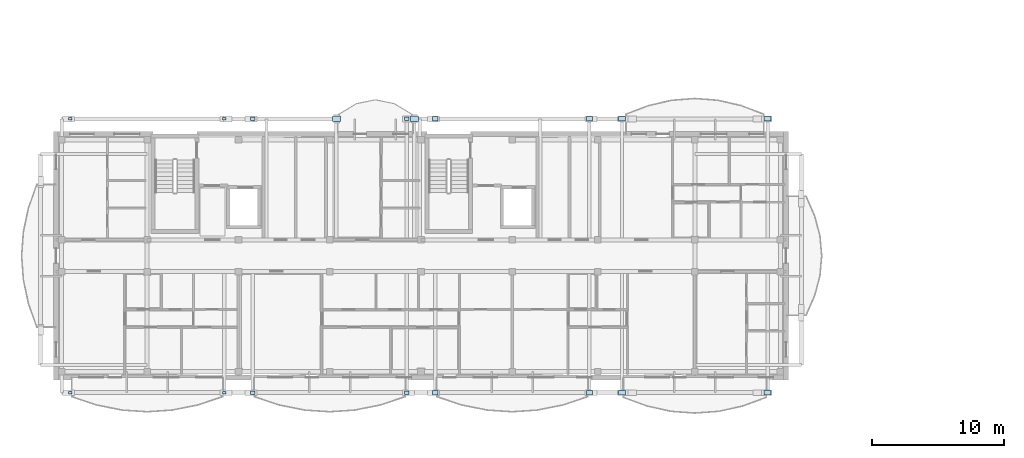
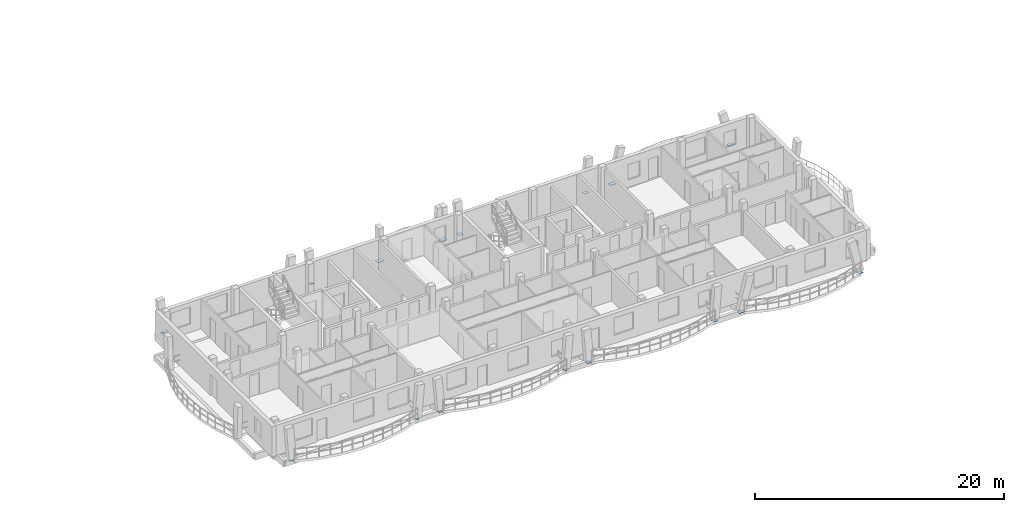
# One storey, part 10 of 48: 18 plates.
"""IFC4 building model written with IfcOpenShell, lengths in metres."""

from ifc_helpers import new_model, si_unit, direction, frame, origin, origin_2d, place, context, subcontext, project, spatial, rectangle, extrude, material, layer, layer_set, type_object, element, save


model = new_model("IFC4")

# Units and contexts
model_context = context("Model", 3, precision=1e-05, world=origin(), true_north=direction((0.0, 1.0)))
body_context = subcontext(model_context, "Body", "Model", "MODEL_VIEW")
ifc_project = project(units=[si_unit("LENGTHUNIT", "METRE"), si_unit("AREAUNIT", "SQUARE_METRE"), si_unit("VOLUMEUNIT", "CUBIC_METRE"), si_unit("PLANEANGLEUNIT", "RADIAN"), si_unit("MASSUNIT", "GRAM", prefix="KILO")], contexts=[model_context])

# Site, building, storey
site_placement = place(None, origin())
site = spatial("IfcSite", under=ifc_project, at=site_placement, CompositionType="ELEMENT")
building_placement = place(site_placement, origin())
building = spatial("IfcBuilding", under=site, at=building_placement, Name="Zavelmont Quarter", CompositionType="ELEMENT")
storey_placement = place(building_placement, frame((0.0, 0.0, 17.60009765625)))
storey = spatial("IfcBuildingStorey", under=building, at=storey_placement, Name="L05", CompositionType="ELEMENT", Elevation=17.60009765625)

# Plates
ifc_material = material(Name="Steel S355", Category="steel")
ifc_layer_1 = layer(ifc_material, 0.02001953125)
ifc_layer_set_1 = layer_set([ifc_layer_1], Name="Steel S355")
plate_type_1 = type_object("IfcPlateType", Name="NP01", PredefinedType="SHEET", material=ifc_layer_set_1)
for number, where, z_axis, x_axis, name in (
    (1, (1.072998046875, -1.162109375, -0.210205078125), (0.0, 0.0, 1.0), (1.0, 0.0, 0.0), "L05 steel connection plate NP01 at 1/A"),
    (2, (12.72705078125, -1.162109375, -0.210205078125), (0.0, 0.0, 1.0), (1.0, 0.0, 0.0), "L05 steel connection plate NP01 at 3/A"),
    (3, (1.072998046875, 19.56201171875, -0.210205078125), (0.0, 0.0, 1.0), (1.0, 0.0, 0.0), "L05 steel connection plate NP01 at 1/D"),
    (4, (12.72705078125, 19.56201171875, -0.210205078125), (0.0, 0.0, 1.0), (1.0, 0.0, 0.0), "L05 steel connection plate NP01 at 3/D"),
):
    element("IfcPlate", number, at=place(storey_placement, frame(where, z_axis=z_axis, x_axis=x_axis)), inside=storey, type_object=plate_type_1, Name=name, PredefinedType="SHEET", context=body_context, shape_type="SweptSolid", body=[
        extrude(rectangle(XDim=0.280029296875, YDim=0.179931640625, at=origin_2d()), origin(), (0.0, 0.0, 1.0), 0.02001953125),
    ])
ifc_layer_2 = layer(ifc_material, 0.02392578125)
ifc_layer_set_2 = layer_set([ifc_layer_2], Name="Steel S355")
plate_type_2 = type_object("IfcPlateType", Name="NP02", PredefinedType="SHEET", material=ifc_layer_set_2)
for number, where, z_axis, x_axis, name in (
    (5, (14.873046875, -1.162109375, -0.212158203125), (0.0, 0.0, 1.0), (1.0, 0.0, 0.0), "L05 steel connection plate NP02 at 3/A"),
    (6, (26.527099609375, -1.162109375, -0.212158203125), (0.0, 0.0, 1.0), (1.0, 0.0, 0.0), "L05 steel connection plate NP02 at 5/A"),
    (7, (14.873046875, 19.56201171875, -0.212158203125), (0.0, 0.0, 1.0), (1.0, 0.0, 0.0), "L05 steel connection plate NP02 at 3/D"),
    (8, (26.527099609375, 19.56201171875, -0.212158203125), (0.0, 0.0, 1.0), (1.0, 0.0, 0.0), "L05 steel connection plate NP02 at 5/D"),
):
    element("IfcPlate", number, at=place(storey_placement, frame(where, z_axis=z_axis, x_axis=x_axis)), inside=storey, type_object=plate_type_2, Name=name, PredefinedType="SHEET", context=body_context, shape_type="SweptSolid", body=[
        extrude(rectangle(XDim=0.360107421875, YDim=0.260009765625, at=origin_2d()), origin(), (0.0, 0.0, 1.0), 0.02392578125),
    ])
ifc_layer_3 = layer(ifc_material, 0.02490234375)
ifc_layer_set_3 = layer_set([ifc_layer_3], Name="Steel S355")
plate_type_3 = type_object("IfcPlateType", Name="NP03", PredefinedType="SHEET", material=ifc_layer_set_3)
for number, where, z_axis, x_axis, name in (
    (9, (28.673095703125, -1.162109375, -0.212646484375), (0.0, 0.0, 1.0), (1.0, 0.0, 0.0), "L05 steel connection plate NP03 at 5/A"),
    (10, (40.326904296875, -1.162109375, -0.212646484375), (0.0, 0.0, 1.0), (1.0, 0.0, 0.0), "L05 steel connection plate NP03 at 7/A"),
    (11, (28.673095703125, 19.56201171875, -0.212646484375), (0.0, 0.0, 1.0), (1.0, 0.0, 0.0), "L05 steel connection plate NP03 at 5/D"),
    (12, (40.326904296875, 19.56201171875, -0.212646484375), (0.0, 0.0, 1.0), (1.0, 0.0, 0.0), "L05 steel connection plate NP03 at 7/D"),
):
    element("IfcPlate", number, at=place(storey_placement, frame(where, z_axis=z_axis, x_axis=x_axis)), inside=storey, type_object=plate_type_3, Name=name, PredefinedType="SHEET", context=body_context, shape_type="SweptSolid", body=[
        extrude(rectangle(XDim=0.43994140625, YDim=0.320068359375, at=origin_2d()), origin(), (0.0, 0.0, 1.0), 0.02490234375),
    ])
ifc_layer_4 = layer(ifc_material, 0.028076171875)
ifc_layer_set_4 = layer_set([ifc_layer_4], Name="Steel S355")
plate_type_4 = type_object("IfcPlateType", Name="NP04", PredefinedType="SHEET", material=ifc_layer_set_4)
for number, where, z_axis, x_axis, name in (
    (13, (42.79296875, -1.162109375, -0.21435546875), (0.0, 0.0, 1.0), (1.0, 0.0, 0.0), "L05 steel connection plate NP04 at 7/A"),
    (14, (53.806884765625, -1.162109375, -0.21435546875), (0.0, 0.0, 1.0), (1.0, 0.0, 0.0), "L05 steel connection plate NP04 at 9/A"),
    (15, (42.79296875, 19.56201171875, -0.21435546875), (0.0, 0.0, 1.0), (1.0, 0.0, 0.0), "L05 steel connection plate NP04 at 7/D"),
    (16, (53.806884765625, 19.56201171875, -0.21435546875), (0.0, 0.0, 1.0), (1.0, 0.0, 0.0), "L05 steel connection plate NP04 at 9/D"),
):
    element("IfcPlate", number, at=place(storey_placement, frame(where, z_axis=z_axis, x_axis=x_axis)), inside=storey, type_object=plate_type_4, Name=name, PredefinedType="SHEET", context=body_context, shape_type="SweptSolid", body=[
        extrude(rectangle(XDim=0.52001953125, YDim=0.360107421875, at=origin_2d()), origin(), (0.0, 0.0, 1.0), 0.028076171875),
    ])
ifc_layer_5 = layer(ifc_material, 0.030029296875)
ifc_layer_set_5 = layer_set([ifc_layer_5], Name="Steel S355")
plate_type_5 = type_object("IfcPlateType", Name="NP05", PredefinedType="SHEET", material=ifc_layer_set_5)
for number, where, z_axis, x_axis, name in (
    (17, (21.199951171875, 19.56201171875, -0.21533203125), (0.0, 0.0, 1.0), (1.0, 0.0, 0.0), "L05 steel connection plate NP05 at 4/D"),
    (18, (27.10009765625, 19.56201171875, -0.21533203125), (0.0, 0.0, 1.0), (1.0, 0.0, 0.0), "L05 steel connection plate NP05 at 5/D"),
):
    element("IfcPlate", number, at=place(storey_placement, frame(where, z_axis=z_axis, x_axis=x_axis)), inside=storey, type_object=plate_type_5, Name=name, PredefinedType="SHEET", context=body_context, shape_type="SweptSolid", body=[
        extrude(rectangle(XDim=0.60009765625, YDim=0.39990234375, at=origin_2d()), origin(), (0.0, 0.0, 1.0), 0.030029296875),
    ])

save(model, "model.ifc")
